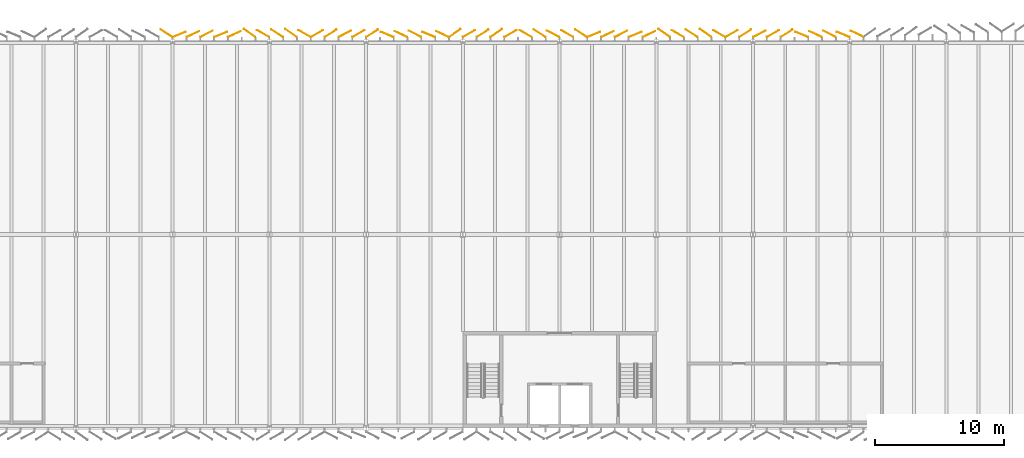
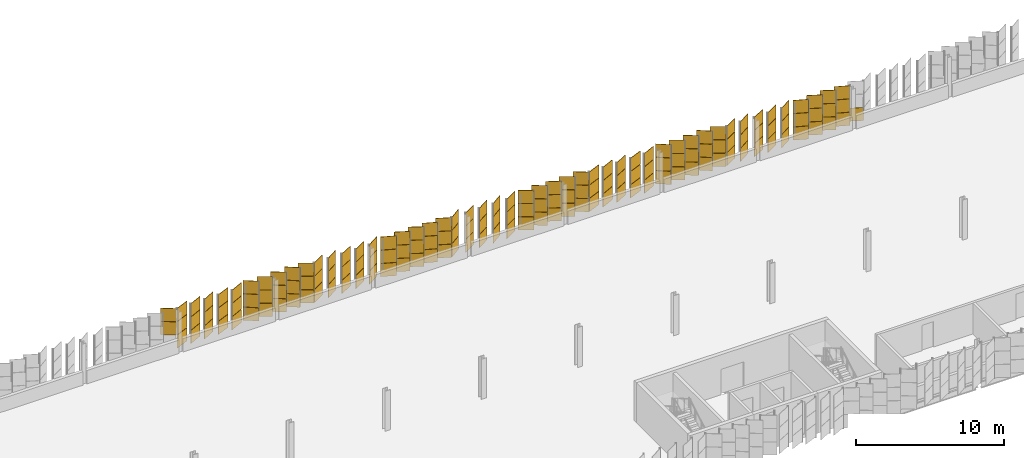
# One storey, part 213 of 214: 150 coverings.
"""IFC4 building model written with IfcOpenShell, lengths in metres."""

from ifc_helpers import new_model, si_unit, direction, frame, origin, origin_2d, place, context, subcontext, project, spatial, rectangle, extrude, material, layer, layer_set, type_object, element, save


model = new_model("IFC4")

# Units and contexts
model_context = context("Model", 3, precision=1e-05, world=origin(), true_north=direction((0.0, 1.0)))
body_context = subcontext(model_context, "Body", "Model", "MODEL_VIEW")
ifc_project = project(units=[si_unit("LENGTHUNIT", "METRE"), si_unit("AREAUNIT", "SQUARE_METRE"), si_unit("VOLUMEUNIT", "CUBIC_METRE"), si_unit("PLANEANGLEUNIT", "RADIAN"), si_unit("MASSUNIT", "GRAM", prefix="KILO")], contexts=[model_context])

# Site, building, storey
site_placement = place(None, origin())
site = spatial("IfcSite", under=ifc_project, at=site_placement, CompositionType="ELEMENT")
building_placement = place(site_placement, origin())
building = spatial("IfcBuilding", under=site, at=building_placement, Name="Parallax Yard Mobility Hub", CompositionType="ELEMENT")
storey_placement = place(building_placement, frame((0.0, 0.0, 3.300048828125)))
storey = spatial("IfcBuildingStorey", under=building, at=storey_placement, Name="L01", CompositionType="ELEMENT", Elevation=3.300048828125)

# Coverings
ifc_material_1 = material(Name="Aluminium panel, light oak finish", Category="aluminium")
ifc_layer_1 = layer(ifc_material_1, 0.030029296875)
ifc_layer_set_1 = layer_set([ifc_layer_1], Name="Skin panel 22.5 degree turn, oak finish")
covering_type_1 = type_object("IfcCoveringType", Name="Skin panel 22.5 degree turn, oak finish", PredefinedType="CLADDING", material=ifc_layer_set_1)
for number, where, z_axis, x_axis, name in (
    (1, (156.986083984375, 143.012939453125, 1.119873046875), (0.0, 0.0, 1.0), (-0.923879532511, 0.382683432365, 0.0), "Skin panel 22.5 bay 53.1 row 2 level L01"),
    (2, (156.986083984375, 143.012939453125, 2.219970703125), (0.0, 0.0, 1.0), (-0.923879532511, 0.382683432365, 0.0), "Skin panel 22.5 bay 53.1 row 3 level L01"),
    (3, (153.771484375, 143.012939453125, 1.119873046875), (0.0, 0.0, 1.0), (-0.923879532511, 0.382683432365, 0.0), "Skin panel 22.5 bay 53.4 row 2 level L01"),
    (4, (153.771484375, 143.012939453125, 2.219970703125), (0.0, 0.0, 1.0), (-0.923879532511, 0.382683432365, 0.0), "Skin panel 22.5 bay 53.4 row 3 level L01"),
    (5, (140.869140625, 143.012939453125, 1.119873046875), (0.0, 0.0, 1.0), (0.923879532511, 0.382683432365, 0.0), "Skin panel 22.5 bay 55.2 row 2 level L01"),
    (6, (140.869140625, 143.012939453125, 2.219970703125), (0.0, 0.0, 1.0), (0.923879532511, 0.382683432365, 0.0), "Skin panel 22.5 bay 55.2 row 3 level L01"),
    (7, (137.654541015625, 143.012939453125, 1.119873046875), (0.0, 0.0, 1.0), (0.923879532511, 0.382683432365, 0.0), "Skin panel 22.5 bay 55.5 row 2 level L01"),
    (8, (137.654541015625, 143.012939453125, 2.219970703125), (0.0, 0.0, 1.0), (0.923879532511, 0.382683432365, 0.0), "Skin panel 22.5 bay 55.5 row 3 level L01"),
    (9, (124.83935546875, 143.012939453125, 1.119873046875), (0.0, 0.0, 1.0), (-0.923879532511, 0.382683432365, 0.0), "Skin panel 22.5 bay 57.3 row 2 level L01"),
    (10, (124.83935546875, 143.012939453125, 2.219970703125), (0.0, 0.0, 1.0), (-0.923879532511, 0.382683432365, 0.0), "Skin panel 22.5 bay 57.3 row 3 level L01"),
    (11, (121.624755859375, 143.012939453125, 1.119873046875), (0.0, 0.0, 1.0), (-0.923879532511, 0.382683432365, 0.0), "Skin panel 22.5 bay 57.6 row 2 level L01"),
    (12, (121.624755859375, 143.012939453125, 2.219970703125), (0.0, 0.0, 1.0), (-0.923879532511, 0.382683432365, 0.0), "Skin panel 22.5 bay 57.6 row 3 level L01"),
    (13, (108.722412109375, 143.012939453125, 1.119873046875), (0.0, 0.0, 1.0), (0.923879532511, 0.382683432365, 0.0), "Skin panel 22.5 bay 59.4 row 2 level L01"),
    (14, (108.722412109375, 143.012939453125, 2.219970703125), (0.0, 0.0, 1.0), (0.923879532511, 0.382683432365, 0.0), "Skin panel 22.5 bay 59.4 row 3 level L01"),
    (15, (105.5078125, 143.012939453125, 1.119873046875), (0.0, 0.0, 1.0), (0.923879532511, 0.382683432365, 0.0), "Skin panel 22.5 bay 59.7 row 2 level L01"),
    (16, (105.5078125, 143.012939453125, 2.219970703125), (0.0, 0.0, 1.0), (0.923879532511, 0.382683432365, 0.0), "Skin panel 22.5 bay 59.7 row 3 level L01"),
):
    element("IfcCovering", number, at=place(storey_placement, frame(where, z_axis=z_axis, x_axis=x_axis)), inside=storey, type_object=covering_type_1, Name=name, ObjectType="SCREEN", PredefinedType="CLADDING", context=body_context, shape_type="SweptSolid", body=[
        extrude(rectangle(XDim=1.080078125, YDim=0.030029296875, at=origin_2d()), origin(), (0.0, 0.0, 1.0), 1.080078125),
    ])
ifc_material_2 = material(Name="Aluminium panel, walnut finish", Category="aluminium")
ifc_layer_2 = layer(ifc_material_2, 0.030029296875)
ifc_layer_set_2 = layer_set([ifc_layer_2], Name="Skin panel 22.5 degree turn, walnut finish")
covering_type_2 = type_object("IfcCoveringType", Name="Skin panel 22.5 degree turn, walnut finish", PredefinedType="CLADDING", material=ifc_layer_set_2)
for number, where, z_axis, x_axis, name in (
    (17, (156.986083984375, 143.012939453125, 0.02001953125), (0.0, 0.0, 1.0), (-0.923879532511, 0.382683432365, 0.0), "Skin panel 22.5 bay 53.1 row 1 level L01"),
    (18, (153.771484375, 143.012939453125, 0.02001953125), (0.0, 0.0, 1.0), (-0.923879532511, 0.382683432365, 0.0), "Skin panel 22.5 bay 53.4 row 1 level L01"),
    (19, (140.869140625, 143.012939453125, 0.02001953125), (0.0, 0.0, 1.0), (0.923879532511, 0.382683432365, 0.0), "Skin panel 22.5 bay 55.2 row 1 level L01"),
    (20, (137.654541015625, 143.012939453125, 0.02001953125), (0.0, 0.0, 1.0), (0.923879532511, 0.382683432365, 0.0), "Skin panel 22.5 bay 55.5 row 1 level L01"),
    (21, (124.83935546875, 143.012939453125, 0.02001953125), (0.0, 0.0, 1.0), (-0.923879532511, 0.382683432365, 0.0), "Skin panel 22.5 bay 57.3 row 1 level L01"),
    (22, (121.624755859375, 143.012939453125, 0.02001953125), (0.0, 0.0, 1.0), (-0.923879532511, 0.382683432365, 0.0), "Skin panel 22.5 bay 57.6 row 1 level L01"),
    (23, (108.722412109375, 143.012939453125, 0.02001953125), (0.0, 0.0, 1.0), (0.923879532511, 0.382683432365, 0.0), "Skin panel 22.5 bay 59.4 row 1 level L01"),
    (24, (105.5078125, 143.012939453125, 0.02001953125), (0.0, 0.0, 1.0), (0.923879532511, 0.382683432365, 0.0), "Skin panel 22.5 bay 59.7 row 1 level L01"),
):
    element("IfcCovering", number, at=place(storey_placement, frame(where, z_axis=z_axis, x_axis=x_axis)), inside=storey, type_object=covering_type_2, Name=name, ObjectType="SCREEN", PredefinedType="CLADDING", context=body_context, shape_type="SweptSolid", body=[
        extrude(rectangle(XDim=1.080078125, YDim=0.030029296875, at=origin_2d()), origin(), (0.0, 0.0, 1.0), 1.080078125),
    ])
ifc_layer_3 = layer(ifc_material_1, 0.030029296875)
ifc_layer_set_3 = layer_set([ifc_layer_3], Name="Skin panel 25 degree turn, oak finish")
covering_type_3 = type_object("IfcCoveringType", Name="Skin panel 25 degree turn, oak finish", PredefinedType="CLADDING", material=ifc_layer_set_3)
for number, where, z_axis, x_axis, name in (
    (25, (154.852783203125, 143.03515625, 1.119873046875), (0.0, 0.0, 1.0), (-0.906307787037, 0.422618261741, 0.0), "Skin panel 25 bay 53.3 row 2 level L01"),
    (26, (154.852783203125, 143.03515625, 2.219970703125), (0.0, 0.0, 1.0), (-0.906307787037, 0.422618261741, 0.0), "Skin panel 25 bay 53.3 row 3 level L01"),
    (27, (141.930908203125, 143.03515625, 1.119873046875), (0.0, 0.0, 1.0), (0.906307787037, 0.422618261741, 0.0), "Skin panel 25 bay 55.1 row 2 level L01"),
    (28, (141.930908203125, 143.03515625, 2.219970703125), (0.0, 0.0, 1.0), (0.906307787037, 0.422618261741, 0.0), "Skin panel 25 bay 55.1 row 3 level L01"),
    (29, (138.71630859375, 143.03515625, 1.119873046875), (0.0, 0.0, 1.0), (0.906307787037, 0.422618261741, 0.0), "Skin panel 25 bay 55.4 row 2 level L01"),
    (30, (138.71630859375, 143.03515625, 2.219970703125), (0.0, 0.0, 1.0), (0.906307787037, 0.422618261741, 0.0), "Skin panel 25 bay 55.4 row 3 level L01"),
    (31, (125.9208984375, 143.03515625, 1.119873046875), (0.0, 0.0, 1.0), (-0.906307787037, 0.422618261741, 0.0), "Skin panel 25 bay 57.2 row 2 level L01"),
    (32, (125.9208984375, 143.03515625, 2.219970703125), (0.0, 0.0, 1.0), (-0.906307787037, 0.422618261741, 0.0), "Skin panel 25 bay 57.2 row 3 level L01"),
    (33, (122.7060546875, 143.03515625, 1.119873046875), (0.0, 0.0, 1.0), (-0.906307787037, 0.422618261741, 0.0), "Skin panel 25 bay 57.5 row 2 level L01"),
    (34, (122.7060546875, 143.03515625, 2.219970703125), (0.0, 0.0, 1.0), (-0.906307787037, 0.422618261741, 0.0), "Skin panel 25 bay 57.5 row 3 level L01"),
    (35, (109.7841796875, 143.03515625, 1.119873046875), (0.0, 0.0, 1.0), (0.906307787037, 0.422618261741, 0.0), "Skin panel 25 bay 59.3 row 2 level L01"),
    (36, (109.7841796875, 143.03515625, 2.219970703125), (0.0, 0.0, 1.0), (0.906307787037, 0.422618261741, 0.0), "Skin panel 25 bay 59.3 row 3 level L01"),
    (37, (106.569580078125, 143.03515625, 1.119873046875), (0.0, 0.0, 1.0), (0.906307787037, 0.422618261741, 0.0), "Skin panel 25 bay 59.6 row 2 level L01"),
    (38, (106.569580078125, 143.03515625, 2.219970703125), (0.0, 0.0, 1.0), (0.906307787037, 0.422618261741, 0.0), "Skin panel 25 bay 59.6 row 3 level L01"),
):
    element("IfcCovering", number, at=place(storey_placement, frame(where, z_axis=z_axis, x_axis=x_axis)), inside=storey, type_object=covering_type_3, Name=name, ObjectType="SCREEN", PredefinedType="CLADDING", context=body_context, shape_type="SweptSolid", body=[
        extrude(rectangle(XDim=1.080078125, YDim=0.030029296875, at=origin_2d()), origin(), (0.0, 0.0, 1.0), 1.080078125),
    ])
ifc_layer_4 = layer(ifc_material_2, 0.030029296875)
ifc_layer_set_4 = layer_set([ifc_layer_4], Name="Skin panel 25 degree turn, walnut finish")
covering_type_4 = type_object("IfcCoveringType", Name="Skin panel 25 degree turn, walnut finish", PredefinedType="CLADDING", material=ifc_layer_set_4)
for number, where, z_axis, x_axis, name in (
    (39, (158.0673828125, 143.06591796875, 0.02001953125), (0.0, 0.0, 1.0), (-0.906307787037, 0.422618261741, 0.0), "Skin panel 25 bay 52.7 row 1 level L01"),
    (40, (154.852783203125, 143.03515625, 0.02001953125), (0.0, 0.0, 1.0), (-0.906307787037, 0.422618261741, 0.0), "Skin panel 25 bay 53.3 row 1 level L01"),
    (41, (141.930908203125, 143.03515625, 0.02001953125), (0.0, 0.0, 1.0), (0.906307787037, 0.422618261741, 0.0), "Skin panel 25 bay 55.1 row 1 level L01"),
    (42, (138.71630859375, 143.03515625, 0.02001953125), (0.0, 0.0, 1.0), (0.906307787037, 0.422618261741, 0.0), "Skin panel 25 bay 55.4 row 1 level L01"),
    (43, (125.9208984375, 143.03515625, 0.02001953125), (0.0, 0.0, 1.0), (-0.906307787037, 0.422618261741, 0.0), "Skin panel 25 bay 57.2 row 1 level L01"),
    (44, (122.7060546875, 143.03515625, 0.02001953125), (0.0, 0.0, 1.0), (-0.906307787037, 0.422618261741, 0.0), "Skin panel 25 bay 57.5 row 1 level L01"),
    (45, (109.7841796875, 143.03515625, 0.02001953125), (0.0, 0.0, 1.0), (0.906307787037, 0.422618261741, 0.0), "Skin panel 25 bay 59.3 row 1 level L01"),
    (46, (106.569580078125, 143.03515625, 0.02001953125), (0.0, 0.0, 1.0), (0.906307787037, 0.422618261741, 0.0), "Skin panel 25 bay 59.6 row 1 level L01"),
):
    element("IfcCovering", number, at=place(storey_placement, frame(where, z_axis=z_axis, x_axis=x_axis)), inside=storey, type_object=covering_type_4, Name=name, ObjectType="SCREEN", PredefinedType="CLADDING", context=body_context, shape_type="SweptSolid", body=[
        extrude(rectangle(XDim=1.080078125, YDim=0.030029296875, at=origin_2d()), origin(), (0.0, 0.0, 1.0), 1.080078125),
    ])
ifc_layer_5 = layer(ifc_material_1, 0.030029296875)
ifc_layer_set_5 = layer_set([ifc_layer_5], Name="Skin panel 27.5 degree turn, oak finish")
covering_type_5 = type_object("IfcCoveringType", Name="Skin panel 27.5 degree turn, oak finish", PredefinedType="CLADDING", material=ifc_layer_set_5)
for number, where, z_axis, x_axis, name in (
    (47, (155.93505859375, 143.056884765625, 1.119873046875), (0.0, 0.0, 1.0), (-0.887010833178, 0.461748613235, 0.0), "Skin panel 27.5 bay 53.2 row 2 level L01"),
    (48, (155.93505859375, 143.056884765625, 2.219970703125), (0.0, 0.0, 1.0), (-0.887010833178, 0.461748613235, 0.0), "Skin panel 27.5 bay 53.2 row 3 level L01"),
    (49, (150.49267578125, 143.056884765625, 1.119873046875), (0.0, 0.0, 1.0), (0.887010833178, 0.461748613235, 0.0), "Skin panel 27.5 bay 53.7 row 2 level L01"),
    (50, (150.49267578125, 143.056884765625, 2.219970703125), (0.0, 0.0, 1.0), (0.887010833178, 0.461748613235, 0.0), "Skin panel 27.5 bay 53.7 row 3 level L01"),
    (51, (139.777099609375, 143.056884765625, 1.119873046875), (0.0, 0.0, 1.0), (0.887010833178, 0.461748613235, 0.0), "Skin panel 27.5 bay 55.3 row 2 level L01"),
    (52, (139.777099609375, 143.056884765625, 2.219970703125), (0.0, 0.0, 1.0), (0.887010833178, 0.461748613235, 0.0), "Skin panel 27.5 bay 55.3 row 3 level L01"),
    (53, (134.50390625, 143.056884765625, 1.119873046875), (0.0, 0.0, 1.0), (-0.887010833178, 0.461748613235, 0.0), "Skin panel 27.5 bay 56.1 row 2 level L01"),
    (54, (134.50390625, 143.056884765625, 2.219970703125), (0.0, 0.0, 1.0), (-0.887010833178, 0.461748613235, 0.0), "Skin panel 27.5 bay 56.1 row 3 level L01"),
    (55, (123.788330078125, 143.056884765625, 1.119873046875), (0.0, 0.0, 1.0), (-0.887010833178, 0.461748613235, 0.0), "Skin panel 27.5 bay 57.4 row 2 level L01"),
    (56, (123.788330078125, 143.056884765625, 2.219970703125), (0.0, 0.0, 1.0), (-0.887010833178, 0.461748613235, 0.0), "Skin panel 27.5 bay 57.4 row 3 level L01"),
    (57, (118.345947265625, 143.056884765625, 1.119873046875), (0.0, 0.0, 1.0), (0.887010833178, 0.461748613235, 0.0), "Skin panel 27.5 bay 58.2 row 2 level L01"),
    (58, (118.345947265625, 143.056884765625, 2.219970703125), (0.0, 0.0, 1.0), (0.887010833178, 0.461748613235, 0.0), "Skin panel 27.5 bay 58.2 row 3 level L01"),
    (59, (107.630615234375, 143.056884765625, 1.119873046875), (0.0, 0.0, 1.0), (0.887010833178, 0.461748613235, 0.0), "Skin panel 27.5 bay 59.5 row 2 level L01"),
    (60, (107.630615234375, 143.056884765625, 2.219970703125), (0.0, 0.0, 1.0), (0.887010833178, 0.461748613235, 0.0), "Skin panel 27.5 bay 59.5 row 3 level L01"),
):
    element("IfcCovering", number, at=place(storey_placement, frame(where, z_axis=z_axis, x_axis=x_axis)), inside=storey, type_object=covering_type_5, Name=name, ObjectType="SCREEN", PredefinedType="CLADDING", context=body_context, shape_type="SweptSolid", body=[
        extrude(rectangle(XDim=1.080078125, YDim=0.030029296875, at=origin_2d()), origin(), (0.0, 0.0, 1.0), 1.080078125),
    ])
ifc_layer_6 = layer(ifc_material_2, 0.030029296875)
ifc_layer_set_6 = layer_set([ifc_layer_6], Name="Skin panel 27.5 degree turn, walnut finish")
covering_type_6 = type_object("IfcCoveringType", Name="Skin panel 27.5 degree turn, walnut finish", PredefinedType="CLADDING", material=ifc_layer_set_6)
for number, where, z_axis, x_axis, name in (
    (61, (155.93505859375, 143.056884765625, 0.02001953125), (0.0, 0.0, 1.0), (-0.887010833178, 0.461748613235, 0.0), "Skin panel 27.5 bay 53.2 row 1 level L01"),
    (62, (150.49267578125, 143.056884765625, 0.02001953125), (0.0, 0.0, 1.0), (0.887010833178, 0.461748613235, 0.0), "Skin panel 27.5 bay 53.7 row 1 level L01"),
    (63, (139.777099609375, 143.056884765625, 0.02001953125), (0.0, 0.0, 1.0), (0.887010833178, 0.461748613235, 0.0), "Skin panel 27.5 bay 55.3 row 1 level L01"),
    (64, (134.50390625, 143.056884765625, 0.02001953125), (0.0, 0.0, 1.0), (-0.887010833178, 0.461748613235, 0.0), "Skin panel 27.5 bay 56.1 row 1 level L01"),
    (65, (123.788330078125, 143.056884765625, 0.02001953125), (0.0, 0.0, 1.0), (-0.887010833178, 0.461748613235, 0.0), "Skin panel 27.5 bay 57.4 row 1 level L01"),
    (66, (118.345947265625, 143.056884765625, 0.02001953125), (0.0, 0.0, 1.0), (0.887010833178, 0.461748613235, 0.0), "Skin panel 27.5 bay 58.2 row 1 level L01"),
    (67, (107.630615234375, 143.056884765625, 0.02001953125), (0.0, 0.0, 1.0), (0.887010833178, 0.461748613235, 0.0), "Skin panel 27.5 bay 59.5 row 1 level L01"),
):
    element("IfcCovering", number, at=place(storey_placement, frame(where, z_axis=z_axis, x_axis=x_axis)), inside=storey, type_object=covering_type_6, Name=name, ObjectType="SCREEN", PredefinedType="CLADDING", context=body_context, shape_type="SweptSolid", body=[
        extrude(rectangle(XDim=1.080078125, YDim=0.030029296875, at=origin_2d()), origin(), (0.0, 0.0, 1.0), 1.080078125),
    ])
ifc_layer_7 = layer(ifc_material_1, 0.030029296875)
ifc_layer_set_7 = layer_set([ifc_layer_7], Name="Skin panel 30 degree turn, oak finish")
covering_type_7 = type_object("IfcCoveringType", Name="Skin panel 30 degree turn, oak finish", PredefinedType="CLADDING", material=ifc_layer_set_7)
for number, where, z_axis, x_axis, name in (
    (68, (151.552490234375, 143.078125, 1.119873046875), (0.0, 0.0, 1.0), (0.866025403784, 0.5, 0.0), "Skin panel 30 bay 53.6 row 2 level L01"),
    (69, (151.552490234375, 143.078125, 2.219970703125), (0.0, 0.0, 1.0), (0.866025403784, 0.5, 0.0), "Skin panel 30 bay 53.6 row 3 level L01"),
    (70, (148.337890625, 143.078125, 1.119873046875), (0.0, 0.0, 1.0), (0.866025403784, 0.5, 0.0), "Skin panel 30 bay 54.2 row 2 level L01"),
    (71, (148.337890625, 143.078125, 2.219970703125), (0.0, 0.0, 1.0), (0.866025403784, 0.5, 0.0), "Skin panel 30 bay 54.2 row 3 level L01"),
    (72, (147.374267578125, 143.078125, 1.119873046875), (0.0, 0.0, 1.0), (-0.866025403784, 0.5, 0.0), "Skin panel 30 bay 54.3 row 2 level L01"),
    (73, (147.374267578125, 143.078125, 2.219970703125), (0.0, 0.0, 1.0), (-0.866025403784, 0.5, 0.0), "Skin panel 30 bay 54.3 row 3 level L01"),
    (74, (144.15966796875, 143.078125, 1.119873046875), (0.0, 0.0, 1.0), (-0.866025403784, 0.5, 0.0), "Skin panel 30 bay 54.6 row 2 level L01"),
    (75, (144.15966796875, 143.078125, 2.219970703125), (0.0, 0.0, 1.0), (-0.866025403784, 0.5, 0.0), "Skin panel 30 bay 54.6 row 3 level L01"),
    (76, (135.587158203125, 143.078125, 1.119873046875), (0.0, 0.0, 1.0), (-0.866025403784, 0.5, 0.0), "Skin panel 30 bay 55.7 row 2 level L01"),
    (77, (135.587158203125, 143.078125, 2.219970703125), (0.0, 0.0, 1.0), (-0.866025403784, 0.5, 0.0), "Skin panel 30 bay 55.7 row 3 level L01"),
    (78, (132.37255859375, 143.078125, 1.119873046875), (0.0, 0.0, 1.0), (-0.866025403784, 0.5, 0.0), "Skin panel 30 bay 56.3 row 2 level L01"),
    (79, (132.37255859375, 143.078125, 2.219970703125), (0.0, 0.0, 1.0), (-0.866025403784, 0.5, 0.0), "Skin panel 30 bay 56.3 row 3 level L01"),
    (80, (131.193115234375, 143.078125, 1.119873046875), (0.0, 0.0, 1.0), (0.866025403784, 0.5, 0.0), "Skin panel 30 bay 56.4 row 2 level L01"),
    (81, (131.193115234375, 143.078125, 2.219970703125), (0.0, 0.0, 1.0), (0.866025403784, 0.5, 0.0), "Skin panel 30 bay 56.4 row 3 level L01"),
    (82, (127.978515625, 143.078125, 1.119873046875), (0.0, 0.0, 1.0), (0.866025403784, 0.5, 0.0), "Skin panel 30 bay 56.7 row 2 level L01"),
    (83, (127.978515625, 143.078125, 2.219970703125), (0.0, 0.0, 1.0), (0.866025403784, 0.5, 0.0), "Skin panel 30 bay 56.7 row 3 level L01"),
    (84, (119.406005859375, 143.078125, 1.119873046875), (0.0, 0.0, 1.0), (0.866025403784, 0.5, 0.0), "Skin panel 30 bay 58.1 row 2 level L01"),
    (85, (119.406005859375, 143.078125, 2.219970703125), (0.0, 0.0, 1.0), (0.866025403784, 0.5, 0.0), "Skin panel 30 bay 58.1 row 3 level L01"),
    (86, (116.191162109375, 143.078125, 1.119873046875), (0.0, 0.0, 1.0), (0.866025403784, 0.5, 0.0), "Skin panel 30 bay 58.4 row 2 level L01"),
    (87, (116.191162109375, 143.078125, 2.219970703125), (0.0, 0.0, 1.0), (0.866025403784, 0.5, 0.0), "Skin panel 30 bay 58.4 row 3 level L01"),
    (88, (115.2275390625, 143.078125, 1.119873046875), (0.0, 0.0, 1.0), (-0.866025403784, 0.5, 0.0), "Skin panel 30 bay 58.5 row 2 level L01"),
    (89, (115.2275390625, 143.078125, 2.219970703125), (0.0, 0.0, 1.0), (-0.866025403784, 0.5, 0.0), "Skin panel 30 bay 58.5 row 3 level L01"),
    (90, (112.012939453125, 143.078125, 1.119873046875), (0.0, 0.0, 1.0), (-0.866025403784, 0.5, 0.0), "Skin panel 30 bay 59.1 row 2 level L01"),
    (91, (112.012939453125, 143.078125, 2.219970703125), (0.0, 0.0, 1.0), (-0.866025403784, 0.5, 0.0), "Skin panel 30 bay 59.1 row 3 level L01"),
):
    element("IfcCovering", number, at=place(storey_placement, frame(where, z_axis=z_axis, x_axis=x_axis)), inside=storey, type_object=covering_type_7, Name=name, ObjectType="SCREEN", PredefinedType="CLADDING", context=body_context, shape_type="SweptSolid", body=[
        extrude(rectangle(XDim=1.080078125, YDim=0.030029296875, at=origin_2d()), origin(), (0.0, 0.0, 1.0), 1.080078125),
    ])
ifc_layer_8 = layer(ifc_material_2, 0.030029296875)
ifc_layer_set_8 = layer_set([ifc_layer_8], Name="Skin panel 30 degree turn, walnut finish")
covering_type_8 = type_object("IfcCoveringType", Name="Skin panel 30 degree turn, walnut finish", PredefinedType="CLADDING", material=ifc_layer_set_8)
for number, where, z_axis, x_axis, name in (
    (92, (151.552490234375, 143.078125, 0.02001953125), (0.0, 0.0, 1.0), (0.866025403784, 0.5, 0.0), "Skin panel 30 bay 53.6 row 1 level L01"),
    (93, (148.337890625, 143.078125, 0.02001953125), (0.0, 0.0, 1.0), (0.866025403784, 0.5, 0.0), "Skin panel 30 bay 54.2 row 1 level L01"),
    (94, (147.374267578125, 143.078125, 0.02001953125), (0.0, 0.0, 1.0), (-0.866025403784, 0.5, 0.0), "Skin panel 30 bay 54.3 row 1 level L01"),
    (95, (144.15966796875, 143.078125, 0.02001953125), (0.0, 0.0, 1.0), (-0.866025403784, 0.5, 0.0), "Skin panel 30 bay 54.6 row 1 level L01"),
    (96, (135.587158203125, 143.078125, 0.02001953125), (0.0, 0.0, 1.0), (-0.866025403784, 0.5, 0.0), "Skin panel 30 bay 55.7 row 1 level L01"),
    (97, (132.37255859375, 143.078125, 0.02001953125), (0.0, 0.0, 1.0), (-0.866025403784, 0.5, 0.0), "Skin panel 30 bay 56.3 row 1 level L01"),
    (98, (131.193115234375, 143.078125, 0.02001953125), (0.0, 0.0, 1.0), (0.866025403784, 0.5, 0.0), "Skin panel 30 bay 56.4 row 1 level L01"),
    (99, (127.978515625, 143.078125, 0.02001953125), (0.0, 0.0, 1.0), (0.866025403784, 0.5, 0.0), "Skin panel 30 bay 56.7 row 1 level L01"),
    (100, (119.406005859375, 143.078125, 0.02001953125), (0.0, 0.0, 1.0), (0.866025403784, 0.5, 0.0), "Skin panel 30 bay 58.1 row 1 level L01"),
    (101, (116.191162109375, 143.078125, 0.02001953125), (0.0, 0.0, 1.0), (0.866025403784, 0.5, 0.0), "Skin panel 30 bay 58.4 row 1 level L01"),
    (102, (115.2275390625, 143.078125, 0.02001953125), (0.0, 0.0, 1.0), (-0.866025403784, 0.5, 0.0), "Skin panel 30 bay 58.5 row 1 level L01"),
    (103, (112.012939453125, 143.078125, 0.02001953125), (0.0, 0.0, 1.0), (-0.866025403784, 0.5, 0.0), "Skin panel 30 bay 59.1 row 1 level L01"),
):
    element("IfcCovering", number, at=place(storey_placement, frame(where, z_axis=z_axis, x_axis=x_axis)), inside=storey, type_object=covering_type_8, Name=name, ObjectType="SCREEN", PredefinedType="CLADDING", context=body_context, shape_type="SweptSolid", body=[
        extrude(rectangle(XDim=1.080078125, YDim=0.030029296875, at=origin_2d()), origin(), (0.0, 0.0, 1.0), 1.080078125),
    ])
ifc_layer_9 = layer(ifc_material_1, 0.030029296875)
ifc_layer_set_9 = layer_set([ifc_layer_9], Name="Skin panel 32.5 degree turn, oak finish")
covering_type_9 = type_object("IfcCoveringType", Name="Skin panel 32.5 degree turn, oak finish", PredefinedType="CLADDING", material=ifc_layer_set_9)
for number, where, z_axis, x_axis, name in (
    (104, (152.611572265625, 143.098876953125, 1.119873046875), (0.0, 0.0, 1.0), (0.843391445813, 0.537299608347, 0.0), "Skin panel 32.5 bay 53.5 row 2 level L01"),
    (105, (152.611572265625, 143.098876953125, 2.219970703125), (0.0, 0.0, 1.0), (0.843391445813, 0.537299608347, 0.0), "Skin panel 32.5 bay 53.5 row 3 level L01"),
    (106, (149.39697265625, 143.098876953125, 1.119873046875), (0.0, 0.0, 1.0), (0.843391445813, 0.537299608347, 0.0), "Skin panel 32.5 bay 54.1 row 2 level L01"),
    (107, (149.39697265625, 143.098876953125, 2.219970703125), (0.0, 0.0, 1.0), (0.843391445813, 0.537299608347, 0.0), "Skin panel 32.5 bay 54.1 row 3 level L01"),
    (108, (145.243896484375, 143.098876953125, 1.119873046875), (0.0, 0.0, 1.0), (-0.843391445813, 0.537299608347, 0.0), "Skin panel 32.5 bay 54.5 row 2 level L01"),
    (109, (145.243896484375, 143.098876953125, 2.219970703125), (0.0, 0.0, 1.0), (-0.843391445813, 0.537299608347, 0.0), "Skin panel 32.5 bay 54.5 row 3 level L01"),
    (110, (136.67138671875, 143.098876953125, 1.119873046875), (0.0, 0.0, 1.0), (-0.843391445813, 0.537299608347, 0.0), "Skin panel 32.5 bay 55.6 row 2 level L01"),
    (111, (136.67138671875, 143.098876953125, 2.219970703125), (0.0, 0.0, 1.0), (-0.843391445813, 0.537299608347, 0.0), "Skin panel 32.5 bay 55.6 row 3 level L01"),
    (112, (133.456787109375, 143.098876953125, 1.119873046875), (0.0, 0.0, 1.0), (-0.843391445813, 0.537299608347, 0.0), "Skin panel 32.5 bay 56.2 row 2 level L01"),
    (113, (133.456787109375, 143.098876953125, 2.219970703125), (0.0, 0.0, 1.0), (-0.843391445813, 0.537299608347, 0.0), "Skin panel 32.5 bay 56.2 row 3 level L01"),
    (114, (129.037353515625, 143.098876953125, 1.119873046875), (0.0, 0.0, 1.0), (0.843391445813, 0.537299608347, 0.0), "Skin panel 32.5 bay 56.6 row 2 level L01"),
    (115, (129.037353515625, 143.098876953125, 2.219970703125), (0.0, 0.0, 1.0), (0.843391445813, 0.537299608347, 0.0), "Skin panel 32.5 bay 56.6 row 3 level L01"),
    (116, (120.46484375, 143.098876953125, 1.119873046875), (0.0, 0.0, 1.0), (0.843391445813, 0.537299608347, 0.0), "Skin panel 32.5 bay 57.7 row 2 level L01"),
    (117, (120.46484375, 143.098876953125, 2.219970703125), (0.0, 0.0, 1.0), (0.843391445813, 0.537299608347, 0.0), "Skin panel 32.5 bay 57.7 row 3 level L01"),
    (118, (117.250244140625, 143.098876953125, 1.119873046875), (0.0, 0.0, 1.0), (0.843391445813, 0.537299608347, 0.0), "Skin panel 32.5 bay 58.3 row 2 level L01"),
    (119, (117.250244140625, 143.098876953125, 2.219970703125), (0.0, 0.0, 1.0), (0.843391445813, 0.537299608347, 0.0), "Skin panel 32.5 bay 58.3 row 3 level L01"),
    (120, (113.09716796875, 143.098876953125, 1.119873046875), (0.0, 0.0, 1.0), (-0.843391445813, 0.537299608347, 0.0), "Skin panel 32.5 bay 58.7 row 2 level L01"),
    (121, (113.09716796875, 143.098876953125, 2.219970703125), (0.0, 0.0, 1.0), (-0.843391445813, 0.537299608347, 0.0), "Skin panel 32.5 bay 58.7 row 3 level L01"),
    (122, (104.524658203125, 143.098876953125, 1.119873046875), (0.0, 0.0, 1.0), (-0.843391445813, 0.537299608347, 0.0), "Skin panel 32.5 bay 60.1 row 2 level L01"),
    (123, (104.524658203125, 143.098876953125, 2.219970703125), (0.0, 0.0, 1.0), (-0.843391445813, 0.537299608347, 0.0), "Skin panel 32.5 bay 60.1 row 3 level L01"),
):
    element("IfcCovering", number, at=place(storey_placement, frame(where, z_axis=z_axis, x_axis=x_axis)), inside=storey, type_object=covering_type_9, Name=name, ObjectType="SCREEN", PredefinedType="CLADDING", context=body_context, shape_type="SweptSolid", body=[
        extrude(rectangle(XDim=1.080078125, YDim=0.030029296875, at=origin_2d()), origin(), (0.0, 0.0, 1.0), 1.080078125),
    ])
ifc_layer_10 = layer(ifc_material_2, 0.030029296875)
ifc_layer_set_10 = layer_set([ifc_layer_10], Name="Skin panel 32.5 degree turn, walnut finish")
covering_type_10 = type_object("IfcCoveringType", Name="Skin panel 32.5 degree turn, walnut finish", PredefinedType="CLADDING", material=ifc_layer_set_10)
for number, where, z_axis, x_axis, name in (
    (124, (152.611572265625, 143.098876953125, 0.02001953125), (0.0, 0.0, 1.0), (0.843391445813, 0.537299608347, 0.0), "Skin panel 32.5 bay 53.5 row 1 level L01"),
    (125, (149.39697265625, 143.098876953125, 0.02001953125), (0.0, 0.0, 1.0), (0.843391445813, 0.537299608347, 0.0), "Skin panel 32.5 bay 54.1 row 1 level L01"),
    (126, (145.243896484375, 143.098876953125, 0.02001953125), (0.0, 0.0, 1.0), (-0.843391445813, 0.537299608347, 0.0), "Skin panel 32.5 bay 54.5 row 1 level L01"),
    (127, (136.67138671875, 143.098876953125, 0.02001953125), (0.0, 0.0, 1.0), (-0.843391445813, 0.537299608347, 0.0), "Skin panel 32.5 bay 55.6 row 1 level L01"),
    (128, (133.456787109375, 143.098876953125, 0.02001953125), (0.0, 0.0, 1.0), (-0.843391445813, 0.537299608347, 0.0), "Skin panel 32.5 bay 56.2 row 1 level L01"),
    (129, (129.037353515625, 143.098876953125, 0.02001953125), (0.0, 0.0, 1.0), (0.843391445813, 0.537299608347, 0.0), "Skin panel 32.5 bay 56.6 row 1 level L01"),
    (130, (120.46484375, 143.098876953125, 0.02001953125), (0.0, 0.0, 1.0), (0.843391445813, 0.537299608347, 0.0), "Skin panel 32.5 bay 57.7 row 1 level L01"),
    (131, (117.250244140625, 143.098876953125, 0.02001953125), (0.0, 0.0, 1.0), (0.843391445813, 0.537299608347, 0.0), "Skin panel 32.5 bay 58.3 row 1 level L01"),
    (132, (113.09716796875, 143.098876953125, 0.02001953125), (0.0, 0.0, 1.0), (-0.843391445813, 0.537299608347, 0.0), "Skin panel 32.5 bay 58.7 row 1 level L01"),
):
    element("IfcCovering", number, at=place(storey_placement, frame(where, z_axis=z_axis, x_axis=x_axis)), inside=storey, type_object=covering_type_10, Name=name, ObjectType="SCREEN", PredefinedType="CLADDING", context=body_context, shape_type="SweptSolid", body=[
        extrude(rectangle(XDim=1.080078125, YDim=0.030029296875, at=origin_2d()), origin(), (0.0, 0.0, 1.0), 1.080078125),
    ])
ifc_layer_11 = layer(ifc_material_1, 0.030029296875)
ifc_layer_set_11 = layer_set([ifc_layer_11], Name="Skin panel 35 degree turn, oak finish")
covering_type_11 = type_object("IfcCoveringType", Name="Skin panel 35 degree turn, oak finish", PredefinedType="CLADDING", material=ifc_layer_set_11)
for number, where, z_axis, x_axis, name in (
    (133, (146.328857421875, 143.119140625, 1.119873046875), (0.0, 0.0, 1.0), (-0.819152044289, 0.573576436351, 0.0), "Skin panel 35 bay 54.4 row 2 level L01"),
    (134, (146.328857421875, 143.119140625, 2.219970703125), (0.0, 0.0, 1.0), (-0.819152044289, 0.573576436351, 0.0), "Skin panel 35 bay 54.4 row 3 level L01"),
    (135, (143.114013671875, 143.119140625, 1.119873046875), (0.0, 0.0, 1.0), (-0.819152044289, 0.573576436351, 0.0), "Skin panel 35 bay 54.7 row 2 level L01"),
    (136, (143.114013671875, 143.119140625, 2.219970703125), (0.0, 0.0, 1.0), (-0.819152044289, 0.573576436351, 0.0), "Skin panel 35 bay 54.7 row 3 level L01"),
    (137, (130.095458984375, 143.119140625, 1.119873046875), (0.0, 0.0, 1.0), (0.819152044289, 0.573576436351, 0.0), "Skin panel 35 bay 56.5 row 2 level L01"),
    (138, (130.095458984375, 143.119140625, 2.219970703125), (0.0, 0.0, 1.0), (0.819152044289, 0.573576436351, 0.0), "Skin panel 35 bay 56.5 row 3 level L01"),
    (139, (126.880615234375, 143.119140625, 1.119873046875), (0.0, 0.0, 1.0), (0.819152044289, 0.573576436351, 0.0), "Skin panel 35 bay 57.1 row 2 level L01"),
    (140, (126.880615234375, 143.119140625, 2.219970703125), (0.0, 0.0, 1.0), (0.819152044289, 0.573576436351, 0.0), "Skin panel 35 bay 57.1 row 3 level L01"),
    (141, (114.18212890625, 143.119140625, 1.119873046875), (0.0, 0.0, 1.0), (-0.819152044289, 0.573576436351, 0.0), "Skin panel 35 bay 58.6 row 2 level L01"),
    (142, (114.18212890625, 143.119140625, 2.219970703125), (0.0, 0.0, 1.0), (-0.819152044289, 0.573576436351, 0.0), "Skin panel 35 bay 58.6 row 3 level L01"),
    (143, (110.967529296875, 143.119140625, 1.119873046875), (0.0, 0.0, 1.0), (-0.819152044289, 0.573576436351, 0.0), "Skin panel 35 bay 59.2 row 2 level L01"),
    (144, (110.967529296875, 143.119140625, 2.219970703125), (0.0, 0.0, 1.0), (-0.819152044289, 0.573576436351, 0.0), "Skin panel 35 bay 59.2 row 3 level L01"),
):
    element("IfcCovering", number, at=place(storey_placement, frame(where, z_axis=z_axis, x_axis=x_axis)), inside=storey, type_object=covering_type_11, Name=name, ObjectType="SCREEN", PredefinedType="CLADDING", context=body_context, shape_type="SweptSolid", body=[
        extrude(rectangle(XDim=1.080078125, YDim=0.030029296875, at=origin_2d()), origin(), (0.0, 0.0, 1.0), 1.080078125),
    ])
ifc_layer_12 = layer(ifc_material_2, 0.030029296875)
ifc_layer_set_12 = layer_set([ifc_layer_12], Name="Skin panel 35 degree turn, walnut finish")
covering_type_12 = type_object("IfcCoveringType", Name="Skin panel 35 degree turn, walnut finish", PredefinedType="CLADDING", material=ifc_layer_set_12)
for number, where, z_axis, x_axis, name in (
    (145, (146.328857421875, 143.119140625, 0.02001953125), (0.0, 0.0, 1.0), (-0.819152044289, 0.573576436351, 0.0), "Skin panel 35 bay 54.4 row 1 level L01"),
    (146, (143.114013671875, 143.119140625, 0.02001953125), (0.0, 0.0, 1.0), (-0.819152044289, 0.573576436351, 0.0), "Skin panel 35 bay 54.7 row 1 level L01"),
    (147, (130.095458984375, 143.119140625, 0.02001953125), (0.0, 0.0, 1.0), (0.819152044289, 0.573576436351, 0.0), "Skin panel 35 bay 56.5 row 1 level L01"),
    (148, (126.880615234375, 143.119140625, 0.02001953125), (0.0, 0.0, 1.0), (0.819152044289, 0.573576436351, 0.0), "Skin panel 35 bay 57.1 row 1 level L01"),
    (149, (114.18212890625, 143.119140625, 0.02001953125), (0.0, 0.0, 1.0), (-0.819152044289, 0.573576436351, 0.0), "Skin panel 35 bay 58.6 row 1 level L01"),
    (150, (110.967529296875, 143.119140625, 0.02001953125), (0.0, 0.0, 1.0), (-0.819152044289, 0.573576436351, 0.0), "Skin panel 35 bay 59.2 row 1 level L01"),
):
    element("IfcCovering", number, at=place(storey_placement, frame(where, z_axis=z_axis, x_axis=x_axis)), inside=storey, type_object=covering_type_12, Name=name, ObjectType="SCREEN", PredefinedType="CLADDING", context=body_context, shape_type="SweptSolid", body=[
        extrude(rectangle(XDim=1.080078125, YDim=0.030029296875, at=origin_2d()), origin(), (0.0, 0.0, 1.0), 1.080078125),
    ])

save(model, "model.ifc")
